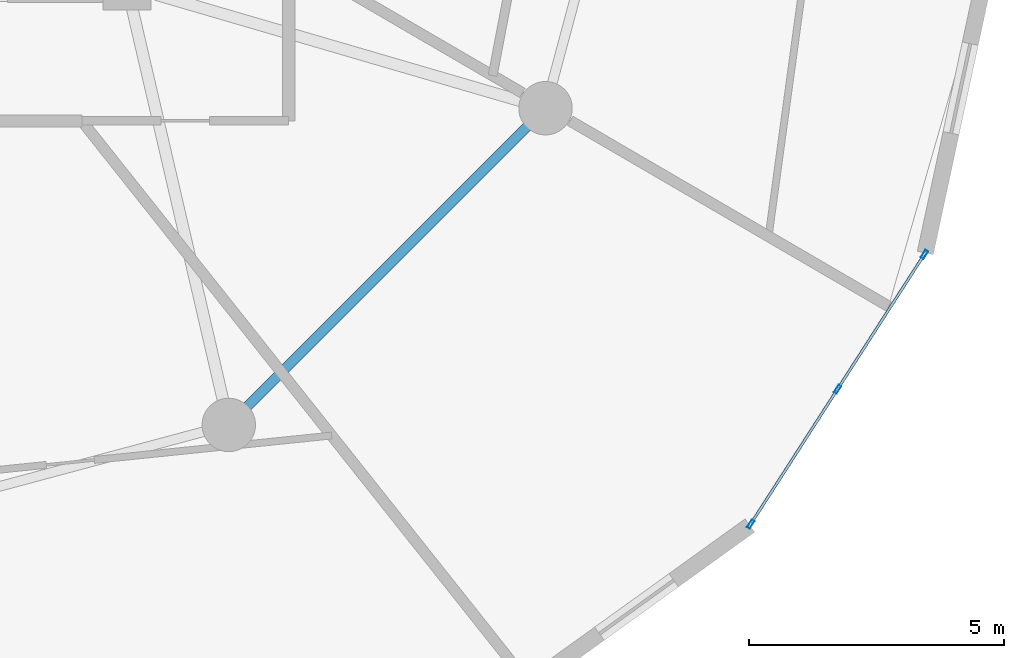
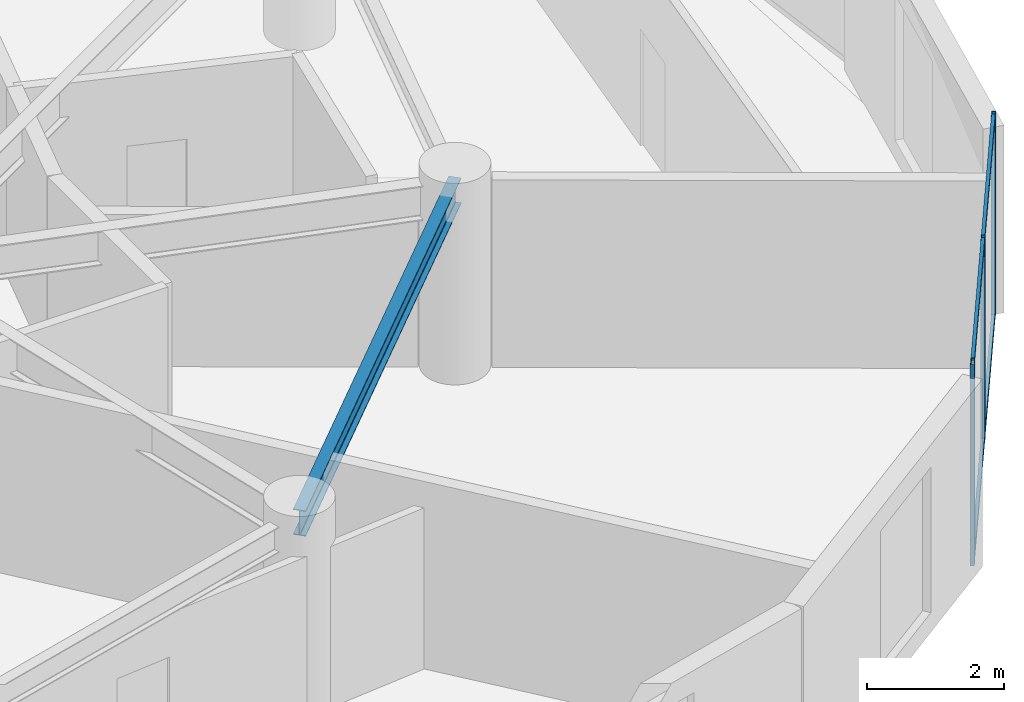
# One storey, part 9 of 21: 7 members, 1 beam, 1 element without a shape of its own.
"""IFC4 building model written with IfcOpenShell, lengths in metres."""

from ifc_helpers import new_model, si_unit, direction, frame, origin, origin_2d, place, context, subcontext, project, spatial, hollow_rectangle, i_section, extrude, source, transform, mapped, material, layer, layer_set, material_profile, profile_set, type_object, element, aggregate, save


model = new_model("IFC4")

# Units and contexts
model_context = context("Model", 3, precision=1e-05, world=origin(), true_north=direction((0.0, 1.0)))
body_context = subcontext(model_context, "Body", "Model", "MODEL_VIEW")
ifc_project = project(units=[si_unit("LENGTHUNIT", "METRE"), si_unit("AREAUNIT", "SQUARE_METRE"), si_unit("VOLUMEUNIT", "CUBIC_METRE"), si_unit("PLANEANGLEUNIT", "RADIAN"), si_unit("MASSUNIT", "GRAM", prefix="KILO")], contexts=[model_context])

# Site, building, storey
site_placement = place(None, origin())
site = spatial("IfcSite", under=ifc_project, at=site_placement, CompositionType="ELEMENT")
building_placement = place(site_placement, origin())
building = spatial("IfcBuilding", under=site, at=building_placement, Name="Solvirekh Grand Hotel", CompositionType="ELEMENT")
storey_placement = place(building_placement, frame((0.0, 0.0, 142.199951171875)))
storey = spatial("IfcBuildingStorey", under=building, at=storey_placement, Name="L36", CompositionType="ELEMENT", Elevation=142.199951171875)

# Beam
ifc_material_1 = material(Name="Steel S355", Category="steel")
ifc_material_profile_1 = material_profile(ifc_material_1, i_section(OverallWidth=0.18994140625, OverallDepth=0.45703125, WebThickness=0.009033203125, FlangeThickness=0.013916015625, FilletRadius=0.012939453125, at=origin_2d()), Name="W460X74")
ifc_profile_set_1 = profile_set([ifc_material_profile_1], Name="Steel S355")
beam_type = type_object("IfcBeamType", Name="Spandrel_Ring_W460", PredefinedType="SPANDREL", material=ifc_profile_set_1)
beam_placement = place(storey_placement, frame((8.5, -14.721923828125, 3.1220703125), z_axis=(0.707106781187, 0.707106781187, 0.0), x_axis=(-0.707106781187, 0.707106781187, 0.0)))
element("IfcBeam", 1, at=beam_placement, inside=storey, type_object=beam_type, Name="L36 perimeter spandrel beam 11", PredefinedType="SPANDREL", context=body_context, shape_type="SweptSolid", body=[
    extrude(i_section(OverallWidth=0.18994140625, OverallDepth=0.45703125, WebThickness=0.009033203125, FlangeThickness=0.013916015625, FilletRadius=0.012939453125, at=origin_2d()), origin(), (0.0, 0.0, 1.0), 8.799072265625),
])

# Curtain wall, members
ifc_material_2 = material(Name="Anodized Bronze Aluminium 6063-T6", Category="aluminium")
ifc_layer = layer(ifc_material_2, 0.175048828125)
ifc_layer_set = layer_set([ifc_layer], Name="Anodized Bronze Aluminium 6063-T6")
curtain_wall_type = type_object("IfcCurtainWallType", Name="CW_Sys3_MidZoneFlushBronzeCW", PredefinedType="NOTDEFINED", material=ifc_layer_set)
curtain_wall_placement = place(storey_placement, origin())
curtain_wall = element("IfcCurtainWall", 2, at=curtain_wall_placement, inside=storey, type_object=curtain_wall_type, Name="L36 unitised bronze-glass curtain wall CW-L36-C01", PredefinedType="NOTDEFINED")
ifc_material_profile_2 = material_profile(ifc_material_2, hollow_rectangle(XDim=0.06494140625, YDim=0.175048828125, WallThickness=0.0048828125, at=origin_2d()), Name="ALU RHS 175X65X5")
ifc_profile_set_2 = profile_set([ifc_material_profile_2], Name="Anodized Bronze Aluminium 6063-T6")
member_type_1 = type_object("IfcMemberType", Name="CWMullion_Sys3", PredefinedType="MULLION", material=ifc_profile_set_2)
shared_shape_1 = source(origin(), body_context, "Body", "SweptSolid", [
    extrude(hollow_rectangle(XDim=0.06494140625, YDim=0.175048828125, WallThickness=0.0048828125, at=origin_2d()), origin(), (0.0, 0.0, 1.0), 3.60009765625),
])
member_1_placement = place(storey_placement, frame((18.752685546875, -16.671630859375, 0.0), z_axis=(0.0, 0.0, 1.0), x_axis=(-0.840785446483, 0.541368481703, 0.0)))
member_1 = element("IfcMember", 3, at=member_1_placement, type_object=member_type_1, Name="U03 mullion 1", PredefinedType="MULLION", context=body_context, shape_type="MappedRepresentation", body=[
    mapped(shared_shape_1, transform((0.0, 0.0, 0.0), x_axis=(1.0, 0.0, 0.0), y_axis=(0.0, 1.0, 0.0), z_axis=(0.0, 0.0, 1.0), scale=1.0)),
])
member_2_placement = place(storey_placement, frame((20.458984375, -14.021484375, 0.0), z_axis=(0.0, 0.0, 1.0), x_axis=(-0.840785446483, 0.541368481703, 0.0)))
member_2 = element("IfcMember", 4, at=member_2_placement, type_object=member_type_1, Name="U03 mullion 2", PredefinedType="MULLION", context=body_context, shape_type="MappedRepresentation", body=[
    mapped(shared_shape_1, transform((0.0, 0.0, 0.0), x_axis=(1.0, 0.0, 0.0), y_axis=(0.0, 1.0, 0.0), z_axis=(0.0, 0.0, 1.0), scale=1.0)),
])
member_3_placement = place(storey_placement, frame((22.16552734375, -11.371337890625, 0.0), z_axis=(0.0, 0.0, 1.0), x_axis=(-0.840785446483, 0.541368481703, 0.0)))
member_3 = element("IfcMember", 5, at=member_3_placement, type_object=member_type_1, Name="U03 mullion 3", PredefinedType="MULLION", context=body_context, shape_type="MappedRepresentation", body=[
    mapped(shared_shape_1, transform((0.0, 0.0, 0.0), x_axis=(1.0, 0.0, 0.0), y_axis=(0.0, 1.0, 0.0), z_axis=(0.0, 0.0, 1.0), scale=1.0)),
])
ifc_material_profile_3 = material_profile(ifc_material_2, hollow_rectangle(XDim=0.054931640625, YDim=0.1201171875, WallThickness=0.00390625, at=origin_2d()), Name="ALU RHS 120X55X4")
ifc_profile_set_3 = profile_set([ifc_material_profile_3], Name="Anodized Bronze Aluminium 6063-T6")
member_type_2 = type_object("IfcMemberType", Name="CWTransom_Sys3", PredefinedType="USERDEFINED", material=ifc_profile_set_3)
shared_shape_2 = source(origin(), body_context, "Body", "SweptSolid", [
    extrude(hollow_rectangle(XDim=0.054931640625, YDim=0.1201171875, WallThickness=0.00390625, at=origin_2d()), origin(), (0.0, 0.0, 1.0), 3.0869140625),
])
member_4_placement = place(storey_placement, frame((18.770263671875, -16.644287109375, 0.027587890625), z_axis=(0.541361037546, 0.840790239612, 0.0), x_axis=(-0.840790239612, 0.541361037546, 0.0)))
member_4 = element("IfcMember", 6, at=member_4_placement, type_object=member_type_2, Name="U03 transom 1.1", ObjectType="TRANSOM", PredefinedType="USERDEFINED", context=body_context, shape_type="MappedRepresentation", body=[
    mapped(shared_shape_2, transform((0.0, 0.0, 0.0), x_axis=(1.0, 0.0, 0.0), y_axis=(0.0, 1.0, 0.0), z_axis=(0.0, 0.0, 1.0), scale=1.0)),
])
member_5_placement = place(storey_placement, frame((18.770263671875, -16.644287109375, 3.572509765625), z_axis=(0.541361037546, 0.840790239612, 0.0), x_axis=(-0.840790239612, 0.541361037546, 0.0)))
member_5 = element("IfcMember", 7, at=member_5_placement, type_object=member_type_2, Name="U03 transom 1.2", ObjectType="TRANSOM", PredefinedType="USERDEFINED", context=body_context, shape_type="MappedRepresentation", body=[
    mapped(shared_shape_2, transform((0.0, 0.0, 0.0), x_axis=(1.0, 0.0, 0.0), y_axis=(0.0, 1.0, 0.0), z_axis=(0.0, 0.0, 1.0), scale=1.0)),
])
member_6_placement = place(storey_placement, frame((20.4765625, -13.994140625, 0.027587890625), z_axis=(0.541361037546, 0.840790239612, 0.0), x_axis=(-0.840790239612, 0.541361037546, 0.0)))
member_6 = element("IfcMember", 8, at=member_6_placement, type_object=member_type_2, Name="U03 transom 2.1", ObjectType="TRANSOM", PredefinedType="USERDEFINED", context=body_context, shape_type="MappedRepresentation", body=[
    mapped(shared_shape_2, transform((0.0, 0.0, 0.0), x_axis=(1.0, 0.0, 0.0), y_axis=(0.0, 1.0, 0.0), z_axis=(0.0, 0.0, 1.0), scale=1.0)),
])
member_7_placement = place(storey_placement, frame((20.4765625, -13.994140625, 3.572509765625), z_axis=(0.541361037546, 0.840790239612, 0.0), x_axis=(-0.840790239612, 0.541361037546, 0.0)))
member_7 = element("IfcMember", 9, at=member_7_placement, type_object=member_type_2, Name="U03 transom 2.2", ObjectType="TRANSOM", PredefinedType="USERDEFINED", context=body_context, shape_type="MappedRepresentation", body=[
    mapped(shared_shape_2, transform((0.0, 0.0, 0.0), x_axis=(1.0, 0.0, 0.0), y_axis=(0.0, 1.0, 0.0), z_axis=(0.0, 0.0, 1.0), scale=1.0)),
])
aggregate(curtain_wall, [member_1, member_2, member_3, member_4, member_5, member_6, member_7])

save(model, "model.ifc")
